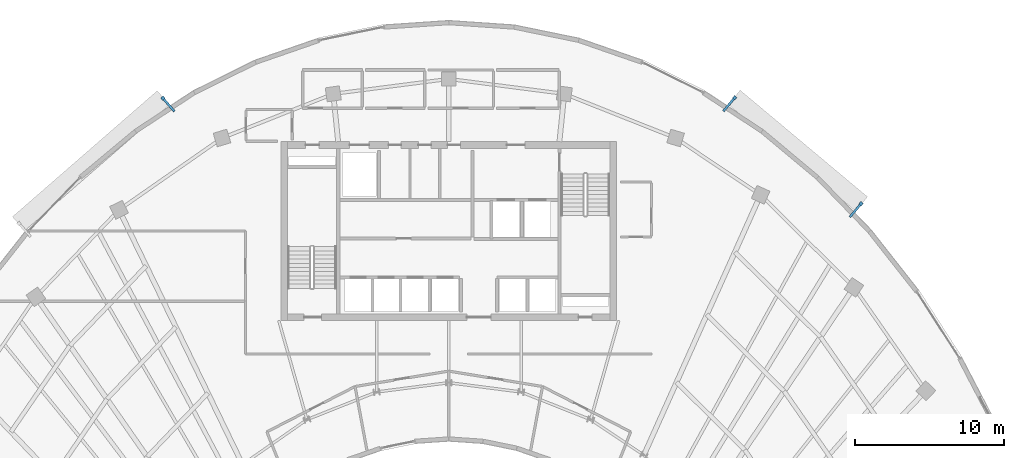
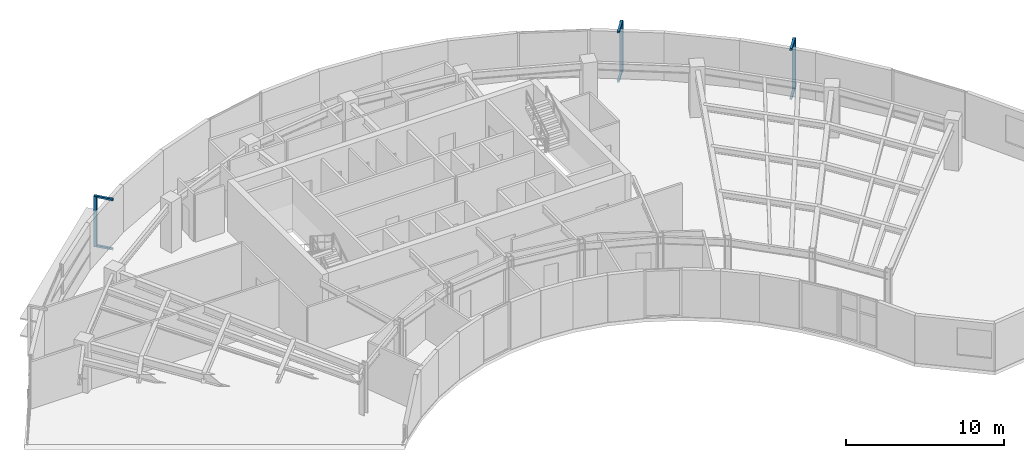
# One storey, part 12 of 14: 9 discrete accessories.
"""IFC4 building model written with IfcOpenShell, lengths in metres."""

from ifc_helpers import new_model, si_unit, direction, frame, origin, origin_2d, place, context, subcontext, project, spatial, rectangle, extrude, source, transform, mapped, material, type_object, type_shapes, element, save


model = new_model("IFC4")

# Units and contexts
model_context = context("Model", 3, precision=1e-05, world=origin(), true_north=direction((0.0, 1.0)))
body_context = subcontext(model_context, "Body", "Model", "MODEL_VIEW")
ifc_project = project(units=[si_unit("LENGTHUNIT", "METRE"), si_unit("AREAUNIT", "SQUARE_METRE"), si_unit("VOLUMEUNIT", "CUBIC_METRE"), si_unit("PLANEANGLEUNIT", "RADIAN"), si_unit("MASSUNIT", "GRAM", prefix="KILO")], contexts=[model_context])

# Site, building, storey
site_placement = place(None, origin())
site = spatial("IfcSite", under=ifc_project, at=site_placement, CompositionType="ELEMENT")
building_placement = place(site_placement, origin())
building = spatial("IfcBuilding", under=site, at=building_placement, Name="Breltana Convention Tower", CompositionType="ELEMENT")
storey_placement = place(building_placement, frame((0.0, 0.0, 211.800048828125)))
storey = spatial("IfcBuildingStorey", under=building, at=storey_placement, Name="L51", CompositionType="ELEMENT", Elevation=211.800048828125)

# Discrete accessories
ifc_material = material(Name="Steel S355", Category="steel")
discrete_accessory_type_1 = type_object("IfcDiscreteAccessoryType", Name="ACC-DSF-BRACKET-150", PredefinedType="BRACKET", material=ifc_material)
shared_shape_1 = source(origin(), body_context, "Body", "SweptSolid", [
    extrude(rectangle(XDim=1.239990234375, YDim=0.14990234375, at=origin_2d()), origin(), (0.0, 0.0, 1.0), 0.139892578125),
])
type_shapes(discrete_accessory_type_1, [shared_shape_1])
for number, where, z_axis, x_axis, name in (
    (1, (29.1953125, 74.69287109375, -0.16015625), (0.0, 0.0, 1.0), (-0.65645174674, 0.754368016423, 0.0), "L51 double-skin slab stand-off bracket 1.2B"),
    (2, (29.1953125, 74.69287109375, 3.64013671875), (0.0, 0.0, 1.0), (-0.65645174674, 0.754368016423, 0.0), "L51 double-skin slab stand-off bracket 1.2T"),
    (3, (66.8125, 74.715087890625, -0.16015625), (0.0, 0.0, 1.0), (0.641983760468, 0.766718234618, 0.0), "L51 double-skin slab stand-off bracket 2.1B"),
    (4, (66.8125, 74.715087890625, 3.64013671875), (0.0, 0.0, 1.0), (0.641983760468, 0.766718234618, 0.0), "L51 double-skin slab stand-off bracket 2.1T"),
    (5, (75.29150390625, 67.615478515625, -0.16015625), (0.0, 0.0, 1.0), (0.641983760468, 0.766718234618, 0.0), "L51 double-skin slab stand-off bracket 2.2B"),
    (6, (75.29150390625, 67.615478515625, 3.64013671875), (0.0, 0.0, 1.0), (0.641983760468, 0.766718234618, 0.0), "L51 double-skin slab stand-off bracket 2.2T"),
):
    element("IfcDiscreteAccessory", number, at=place(storey_placement, frame(where, z_axis=z_axis, x_axis=x_axis)), inside=storey, type_object=discrete_accessory_type_1, Name=name, PredefinedType="BRACKET", context=body_context, shape_type="MappedRepresentation", body=[
        mapped(shared_shape_1, transform((0.0, 0.0, 0.0), scale=1.0)),
    ])
discrete_accessory_type_2 = type_object("IfcDiscreteAccessoryType", Name="ACC-DSF-CARRIER-150", PredefinedType="BRACKET", material=ifc_material)
shared_shape_2 = source(origin(), body_context, "Body", "SweptSolid", [
    extrude(rectangle(XDim=0.219970703125, YDim=0.219970703125, at=origin_2d()), origin(), (0.0, 0.0, 1.0), 3.860107421875),
])
for number, where, z_axis, x_axis, name in (
    (7, (28.82763671875, 75.115478515625, -0.1201171875), (0.0, 0.0, 1.0), (-0.65645174674, 0.754368016423, 0.0), "L51 double-skin outer vertical carrier 1.2"),
    (8, (67.172119140625, 75.144287109375, -0.1201171875), (0.0, 0.0, 1.0), (0.641983760468, 0.766718234618, 0.0), "L51 double-skin outer vertical carrier 2.1"),
    (9, (75.65087890625, 68.044921875, -0.1201171875), (0.0, 0.0, 1.0), (0.641983760468, 0.766718234618, 0.0), "L51 double-skin outer vertical carrier 2.2"),
):
    element("IfcDiscreteAccessory", number, at=place(storey_placement, frame(where, z_axis=z_axis, x_axis=x_axis)), inside=storey, type_object=discrete_accessory_type_2, Name=name, PredefinedType="BRACKET", context=body_context, shape_type="MappedRepresentation", body=[
        mapped(shared_shape_2, transform((0.0, 0.0, 0.0), scale=1.0)),
    ])

save(model, "model.ifc")
